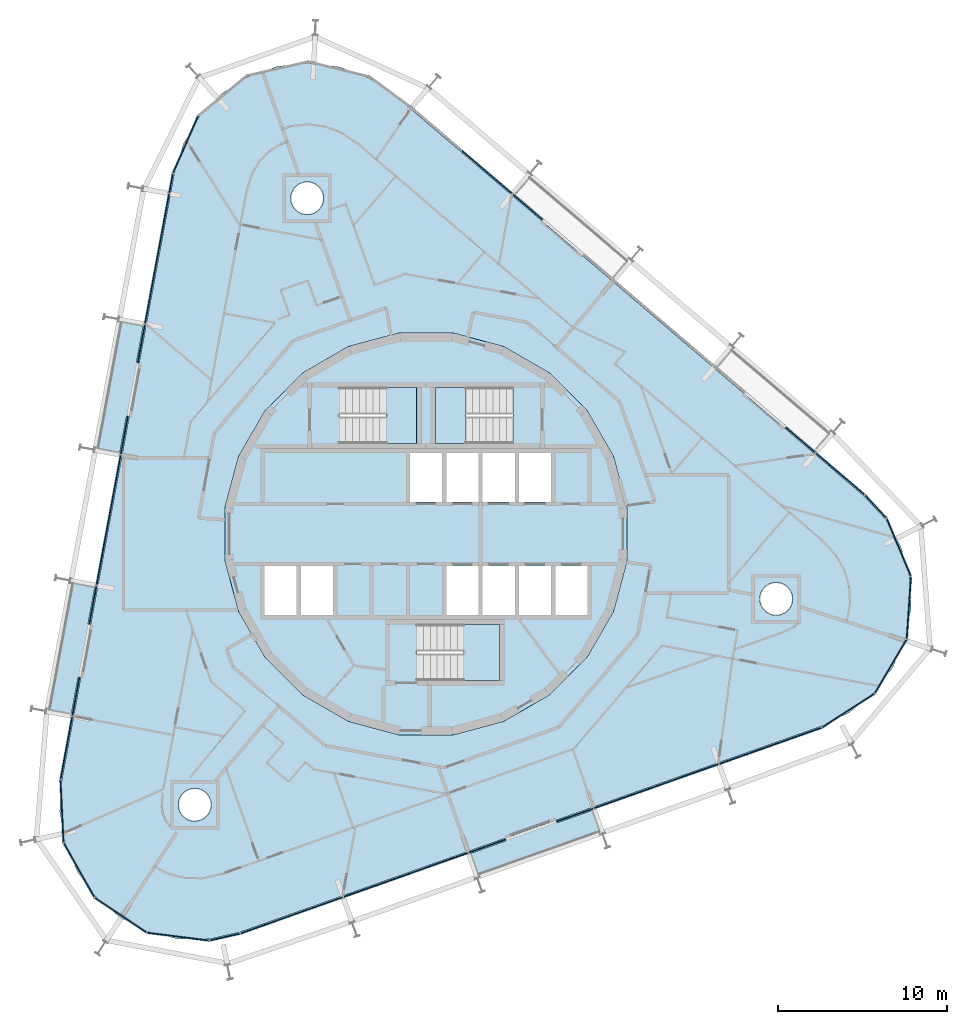
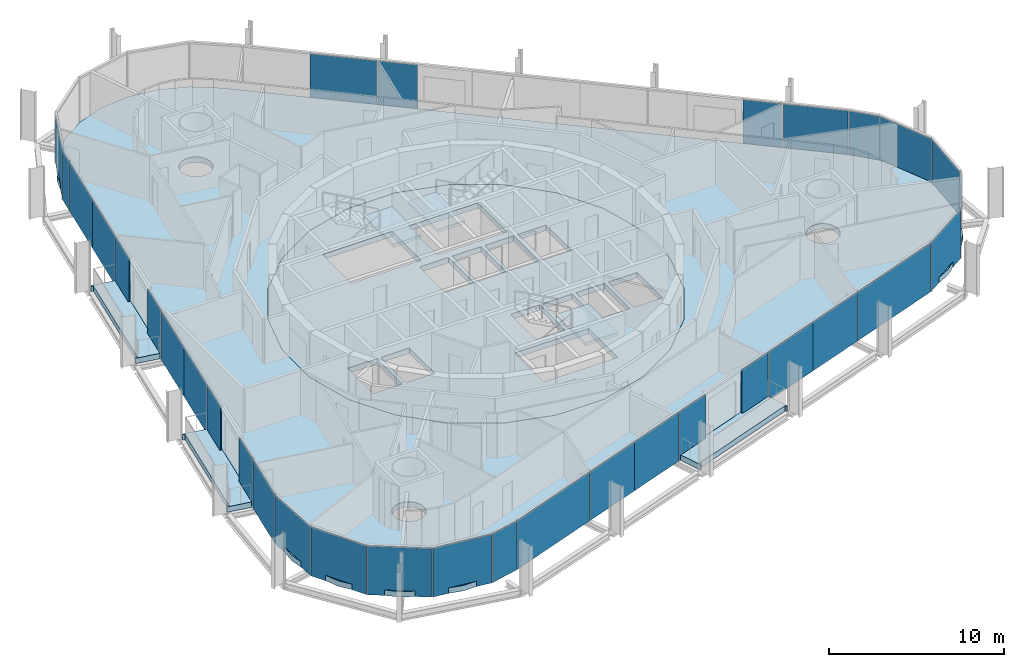
# One storey, part 9 of 17: 33 plates, 8 slabs, 9 elements without a shape of their own.
"""IFC4 building model written with IfcOpenShell, lengths in metres."""

from ifc_helpers import new_model, si_unit, direction, frame, origin, origin_2d, place, context, subcontext, project, spatial, polyline, rectangle, outline, extrude, material, layer, layer_set, type_object, element, aggregate, save


model = new_model("IFC4")

# Units and contexts
model_context = context("Model", 3, precision=1e-05, world=origin(), true_north=direction((0.0, 1.0)))
body_context = subcontext(model_context, "Body", "Model", "MODEL_VIEW")
ifc_project = project(units=[si_unit("LENGTHUNIT", "METRE"), si_unit("AREAUNIT", "SQUARE_METRE"), si_unit("VOLUMEUNIT", "CUBIC_METRE"), si_unit("PLANEANGLEUNIT", "RADIAN"), si_unit("MASSUNIT", "GRAM", prefix="KILO")], contexts=[model_context])

# Site, building, storey
site_placement = place(None, origin())
site = spatial("IfcSite", under=ifc_project, at=site_placement, CompositionType="ELEMENT")
building_placement = place(site_placement, origin())
building = spatial("IfcBuilding", under=site, at=building_placement, Name="Spindle Arch Residences", CompositionType="ELEMENT")
storey_placement = place(building_placement, frame((0.0, 0.0, 155.199951171875)))
storey = spatial("IfcBuildingStorey", under=building, at=storey_placement, Name="L38", CompositionType="ELEMENT", Elevation=155.199951171875)

# Slabs
ifc_material_1 = material(Name="Concrete C40/50", Category="concrete")
ifc_layer_1 = layer(ifc_material_1, 0.3798828125)
ifc_layer_set_1 = layer_set([ifc_layer_1], Name="Balcony slab 380")
slab_type_1 = type_object("IfcSlabType", Name="Balcony slab 380", PredefinedType="FLOOR", material=ifc_layer_set_1)
slab_1_placement = place(storey_placement, frame((0.0, 0.0, -0.3798828125)))
element("IfcSlab", 1, at=slab_1_placement, inside=storey, type_object=slab_type_1, Name="Balcony L38 bay 14", PredefinedType="FLOOR", context=body_context, shape_type="SweptSolid", body=[
    extrude(outline(polyline([(-18.1875, 12.620849609375), (-18.201171875, 12.547119140625), (-18.0537109375, 12.519775390625), (-19.431396484375, 5.086181640625), (-19.578857421875, 5.113525390625), (-19.592529296875, 5.039794921875), (-18.12744140625, 4.768310546875), (-17.716552734375, 6.985595703125), (-17.559326171875, 6.95654296875), (-16.97607421875, 10.102783203125), (-17.133544921875, 10.132080078125), (-16.722412109375, 12.349365234375), (-18.1875, 12.620849609375)])), origin(), (0.0, 0.0, 1.0), 0.3798828125),
])
slab_2_placement = place(storey_placement, frame((0.0, 0.0, -0.3798828125)))
element("IfcSlab", 2, at=slab_2_placement, inside=storey, type_object=slab_type_1, Name="Balcony L38 bay 16", PredefinedType="FLOOR", context=body_context, shape_type="SweptSolid", body=[
    extrude(outline(polyline([(-21.05224609375, -2.836181640625), (-21.06591796875, -2.909912109375), (-20.91845703125, -2.937255859375), (-22.296142578125, -10.37060546875), (-22.443603515625, -10.34326171875), (-22.457275390625, -10.4169921875), (-20.9921875, -10.6884765625), (-20.581298828125, -8.47119140625), (-20.424072265625, -8.50048828125), (-19.8408203125, -5.35400390625), (-19.998291015625, -5.324951171875), (-19.587158203125, -3.107666015625), (-21.05224609375, -2.836181640625)])), origin(), (0.0, 0.0, 1.0), 0.3798828125),
])
slab_3_placement = place(storey_placement, frame((0.0, 0.0, -0.3798828125)))
element("IfcSlab", 3, at=slab_3_placement, inside=storey, type_object=slab_type_1, Name="Balcony L38 bay 22", PredefinedType="FLOOR", context=body_context, shape_type="SweptSolid", body=[
    extrude(outline(polyline([(3.103271484375, -20.31201171875), (3.174072265625, -20.287109375), (3.1240234375, -20.145751953125), (10.250244140625, -17.6220703125), (10.300537109375, -17.763427734375), (10.37109375, -17.738525390625), (9.873779296875, -16.333984375), (7.748046875, -17.086669921875), (7.694580078125, -16.935791015625), (4.67822265625, -18.00390625), (4.731689453125, -18.15478515625), (2.60595703125, -18.907470703125), (3.103271484375, -20.31201171875)])), origin(), (0.0, 0.0, 1.0), 0.3798828125),
])
ifc_material_2 = material(Name="Concrete C50/60", Category="concrete")
ifc_layer_2 = layer(ifc_material_2, 0.3798828125)
ifc_layer_set_2 = layer_set([ifc_layer_2], Name="Core floor slab 380")
slab_type_2 = type_object("IfcSlabType", Name="Core floor slab 380", PredefinedType="FLOOR", material=ifc_layer_set_2)
slab_4_placement = place(storey_placement, frame((0.0, 0.0, -0.3798828125)))
element("IfcSlab", 4, at=slab_4_placement, inside=storey, type_object=slab_type_2, Name="Core floor L38", PredefinedType="FLOOR", context=body_context, shape_type="SweptSolid", body=[
    extrude(outline(polyline([(1.56640625, -11.897216796875), (4.59228515625, -11.086669921875), (7.30517578125, -9.520263671875), (9.520263671875, -7.30517578125), (11.086669921875, -4.59228515625), (11.897216796875, -1.56640625), (11.897216796875, 1.56640625), (11.086669921875, 4.59228515625), (9.520263671875, 7.30517578125), (7.30517578125, 9.520263671875), (4.59228515625, 11.086669921875), (1.56640625, 11.897216796875), (-1.56640625, 11.897216796875), (-4.59228515625, 11.086669921875), (-7.30517578125, 9.520263671875), (-9.520263671875, 7.30517578125), (-11.086669921875, 4.59228515625), (-11.897216796875, 1.56640625), (-11.897216796875, -1.56640625), (-11.086669921875, -4.59228515625), (-9.520263671875, -7.30517578125), (-7.30517578125, -9.520263671875), (-4.59228515625, -11.086669921875), (-1.56640625, -11.897216796875), (1.56640625, -11.897216796875)]), holes=[polyline([(-0.949951171875, 1.89990234375), (0.949951171875, 1.89990234375), (0.949951171875, 4.800048828125), (-0.949951171875, 4.800048828125), (-0.949951171875, 1.89990234375)]), polyline([(1.199951171875, 1.89990234375), (3.10009765625, 1.89990234375), (3.10009765625, 4.800048828125), (1.199951171875, 4.800048828125), (1.199951171875, 1.89990234375)]), polyline([(3.35009765625, 1.89990234375), (5.25, 1.89990234375), (5.25, 4.800048828125), (3.35009765625, 4.800048828125), (3.35009765625, 1.89990234375)]), polyline([(5.5, 1.89990234375), (7.39990234375, 1.89990234375), (7.39990234375, 4.800048828125), (5.5, 4.800048828125), (5.5, 1.89990234375)]), polyline([(-9.550048828125, -4.800048828125), (-7.64990234375, -4.800048828125), (-7.64990234375, -1.89990234375), (-9.550048828125, -1.89990234375), (-9.550048828125, -4.800048828125)]), polyline([(-7.39990234375, -4.800048828125), (-5.5, -4.800048828125), (-5.5, -1.89990234375), (-7.39990234375, -1.89990234375), (-7.39990234375, -4.800048828125)]), polyline([(1.199951171875, -4.800048828125), (3.10009765625, -4.800048828125), (3.10009765625, -1.89990234375), (1.199951171875, -1.89990234375), (1.199951171875, -4.800048828125)]), polyline([(3.35009765625, -4.800048828125), (5.25, -4.800048828125), (5.25, -1.89990234375), (3.35009765625, -1.89990234375), (3.35009765625, -4.800048828125)]), polyline([(5.5, -4.800048828125), (7.39990234375, -4.800048828125), (7.39990234375, -1.89990234375), (5.5, -1.89990234375), (5.5, -4.800048828125)]), polyline([(7.64990234375, -4.800048828125), (9.550048828125, -4.800048828125), (9.550048828125, -1.89990234375), (7.64990234375, -1.89990234375), (7.64990234375, -4.800048828125)]), polyline([(5.1298828125, 8.669921875), (0.550048828125, 8.669921875), (0.550048828125, 5.35009765625), (5.1298828125, 5.35009765625), (5.1298828125, 8.669921875)]), polyline([(-5.1298828125, 5.35009765625), (-0.550048828125, 5.35009765625), (-0.550048828125, 8.669921875), (-5.1298828125, 8.669921875), (-5.1298828125, 5.35009765625)]), polyline([(-0.530029296875, -8.669921875), (4.35009765625, -8.669921875), (4.35009765625, -5.35009765625), (-0.530029296875, -5.35009765625), (-0.530029296875, -8.669921875)])]), origin(), (0.0, 0.0, 1.0), 0.3798828125),
])

# Stair, slab
ifc_material_3 = material(Name="Concrete C50/60", Category="concrete")
stair_type = type_object("IfcStairType", Name="Exit stair 16 risers", PredefinedType="HALF_TURN_STAIR", material=ifc_material_3)
stair_1_placement = place(storey_placement, origin())
stair_1 = element("IfcStair", 5, at=stair_1_placement, inside=storey, type_object=stair_type, Name="L38 Exit stair ST1", PredefinedType="HALF_TURN_STAIR")
ifc_material_4 = material(Name="Concrete C50/60", Category="concrete")
ifc_layer_3 = layer(ifc_material_4, 0.219970703125)
ifc_layer_set_3 = layer_set([ifc_layer_3], Name="Exit stair landing 220")
slab_type_3 = type_object("IfcSlabType", Name="Exit stair landing 220", PredefinedType="LANDING", material=ifc_layer_set_3)
slab_5_placement = place(storey_placement, frame((0.0, 0.0, 1.530029296875)))
slab_5 = element("IfcSlab", 6, at=slab_5_placement, type_object=slab_type_3, Name="ST1 landing 1", PredefinedType="LANDING", context=body_context, shape_type="SweptSolid", body=[
    extrude(outline(polyline([(2.3701171875, 8.669921875), (0.550048828125, 8.669921875), (0.550048828125, 5.35009765625), (2.3701171875, 5.35009765625), (2.3701171875, 8.669921875)])), origin(), (0.0, 0.0, 1.0), 0.219970703125),
])
aggregate(stair_1, [slab_5])

stair_2_placement = place(storey_placement, origin())
stair_2 = element("IfcStair", 7, at=stair_2_placement, inside=storey, type_object=stair_type, Name="L38 Exit stair ST2", PredefinedType="HALF_TURN_STAIR")
slab_6_placement = place(storey_placement, frame((0.0, 0.0, 1.530029296875)))
slab_6 = element("IfcSlab", 8, at=slab_6_placement, type_object=slab_type_3, Name="ST2 landing 1", PredefinedType="LANDING", context=body_context, shape_type="SweptSolid", body=[
    extrude(outline(polyline([(-2.3701171875, 5.35009765625), (-0.550048828125, 5.35009765625), (-0.550048828125, 8.669921875), (-2.3701171875, 8.669921875), (-2.3701171875, 5.35009765625)])), origin(), (0.0, 0.0, 1.0), 0.219970703125),
])
aggregate(stair_2, [slab_6])

stair_3_placement = place(storey_placement, origin())
stair_3 = element("IfcStair", 9, at=stair_3_placement, inside=storey, type_object=stair_type, Name="L38 Exit stair ST3", PredefinedType="HALF_TURN_STAIR")
slab_7_placement = place(storey_placement, frame((0.0, 0.0, 1.530029296875)))
slab_7 = element("IfcSlab", 10, at=slab_7_placement, type_object=slab_type_3, Name="ST3 landing 1", PredefinedType="LANDING", context=body_context, shape_type="SweptSolid", body=[
    extrude(outline(polyline([(2.22998046875, -8.669921875), (4.35009765625, -8.669921875), (4.35009765625, -5.35009765625), (2.22998046875, -5.35009765625), (2.22998046875, -8.669921875)])), origin(), (0.0, 0.0, 1.0), 0.219970703125),
])
aggregate(stair_3, [slab_7])

# Slab
ifc_material_5 = material(Name="Concrete C40/50", Category="concrete")
ifc_layer_4 = layer(ifc_material_5, 0.3798828125)
ifc_layer_set_4 = layer_set([ifc_layer_4], Name="Floor slab 380")
slab_type_4 = type_object("IfcSlabType", Name="Floor slab 380", PredefinedType="FLOOR", material=ifc_layer_set_4)
slab_8_placement = place(storey_placement, frame((0.0, 0.0, -0.3798828125)))
element("IfcSlab", 11, at=slab_8_placement, inside=storey, type_object=slab_type_4, Name="Floor slab L38", PredefinedType="FLOOR", context=body_context, shape_type="SweptSolid", body=[
    extrude(outline(polyline([(-12.82177734375, -23.972412109375), (-14.67919921875, -23.9560546875), (-16.48291015625, -23.511962890625), (-18.135498046875, -22.663818359375), (-19.5478515625, -21.45751953125), (-20.64404296875, -19.9580078125), (-21.36474609375, -18.24609375), (-21.67138671875, -16.4140625), (-21.547119140625, -14.560791015625), (-14.89794921875, 21.3154296875), (-14.349609375, 23.090087890625), (-13.406982421875, 24.690673828125), (-12.12060546875, 26.030517578125), (-10.559814453125, 27.03759765625), (-8.808837890625, 27.65771484375), (-6.962158203125, 27.857421875), (-5.119140625, 27.62548828125), (-3.37939453125, 26.97509765625), (-1.83642578125, 25.94091796875), (25.90869140625, 2.244384765625), (27.171630859375, 0.882080078125), (28.086181640625, -0.734619140625), (28.603515625, -2.5185546875), (28.6953125, -4.373779296875), (28.356689453125, -6.2001953125), (27.606201171875, -7.8994140625), (26.48388671875, -9.37939453125), (25.05078125, -10.56103515625), (23.383544921875, -11.380126953125), (6.186279296875, -17.469970703125), (-11.0107421875, -23.559814453125), (-12.82177734375, -23.972412109375)]), holes=[polyline([(7.30517578125, -9.520263671875), (9.520263671875, -7.30517578125), (11.086669921875, -4.59228515625), (11.897216796875, -1.56640625), (11.897216796875, 1.56640625), (11.086669921875, 4.59228515625), (9.520263671875, 7.30517578125), (7.30517578125, 9.520263671875), (4.59228515625, 11.086669921875), (1.56640625, 11.897216796875), (-1.56640625, 11.897216796875), (-4.59228515625, 11.086669921875), (-7.30517578125, 9.520263671875), (-9.520263671875, 7.30517578125), (-11.086669921875, 4.59228515625), (-11.897216796875, 1.56640625), (-11.897216796875, -1.56640625), (-11.086669921875, -4.59228515625), (-9.520263671875, -7.30517578125), (-7.30517578125, -9.520263671875), (-4.59228515625, -11.086669921875), (-1.56640625, -11.897216796875), (1.56640625, -11.897216796875), (4.59228515625, -11.086669921875), (7.30517578125, -9.520263671875)]), polyline([(-12.99169921875, -16.7080078125), (-12.87060546875, -16.560302734375), (-12.780517578125, -16.3916015625), (-12.724853515625, -16.208740234375), (-12.706298828125, -16.0185546875), (-12.724853515625, -15.828369140625), (-12.780517578125, -15.6455078125), (-12.87060546875, -15.476806640625), (-12.99169921875, -15.3291015625), (-13.139404296875, -15.2080078125), (-13.30810546875, -15.117919921875), (-13.490966796875, -15.062255859375), (-13.68115234375, -15.043701171875), (-13.871337890625, -15.062255859375), (-14.05419921875, -15.117919921875), (-14.222900390625, -15.2080078125), (-14.37060546875, -15.3291015625), (-14.491943359375, -15.476806640625), (-14.58203125, -15.6455078125), (-14.637451171875, -15.828369140625), (-14.65625, -16.0185546875), (-14.637451171875, -16.208740234375), (-14.58203125, -16.3916015625), (-14.491943359375, -16.560302734375), (-14.37060546875, -16.7080078125), (-14.222900390625, -16.829345703125), (-14.05419921875, -16.91943359375), (-13.871337890625, -16.974853515625), (-13.68115234375, -16.99365234375), (-13.490966796875, -16.974853515625), (-13.30810546875, -16.91943359375), (-13.139404296875, -16.829345703125), (-12.99169921875, -16.7080078125)]), polyline([(-6.22119140625, 19.31591796875), (-6.131103515625, 19.484619140625), (-6.07568359375, 19.66748046875), (-6.056884765625, 19.857666015625), (-6.07568359375, 20.0478515625), (-6.131103515625, 20.230712890625), (-6.22119140625, 20.3994140625), (-6.342529296875, 20.547119140625), (-6.490234375, 20.668212890625), (-6.65869140625, 20.75830078125), (-6.841796875, 20.81396484375), (-7.031982421875, 20.83251953125), (-7.22216796875, 20.81396484375), (-7.405029296875, 20.75830078125), (-7.573486328125, 20.668212890625), (-7.72119140625, 20.547119140625), (-7.842529296875, 20.3994140625), (-7.9326171875, 20.230712890625), (-7.98828125, 20.0478515625), (-8.0068359375, 19.857666015625), (-7.98828125, 19.66748046875), (-7.9326171875, 19.484619140625), (-7.842529296875, 19.31591796875), (-7.72119140625, 19.168212890625), (-7.573486328125, 19.046875), (-7.405029296875, 18.956787109375), (-7.22216796875, 18.9013671875), (-7.031982421875, 18.882568359375), (-6.841796875, 18.9013671875), (-6.65869140625, 18.956787109375), (-6.490234375, 19.046875), (-6.342529296875, 19.168212890625), (-6.22119140625, 19.31591796875)]), polyline([(21.523681640625, -4.380615234375), (21.614013671875, -4.212158203125), (21.66943359375, -4.029296875), (21.68798828125, -3.839111328125), (21.66943359375, -3.648681640625), (21.614013671875, -3.4658203125), (21.523681640625, -3.29736328125), (21.402587890625, -3.149658203125), (21.2548828125, -3.0283203125), (21.086181640625, -2.938232421875), (20.9033203125, -2.8828125), (20.713134765625, -2.864013671875), (20.52294921875, -2.8828125), (20.340087890625, -2.938232421875), (20.17138671875, -3.0283203125), (20.023681640625, -3.149658203125), (19.90234375, -3.29736328125), (19.812255859375, -3.4658203125), (19.7568359375, -3.648681640625), (19.738037109375, -3.839111328125), (19.7568359375, -4.029296875), (19.812255859375, -4.212158203125), (19.90234375, -4.380615234375), (20.023681640625, -4.5283203125), (20.17138671875, -4.649658203125), (20.340087890625, -4.73974609375), (20.52294921875, -4.79541015625), (20.713134765625, -4.81396484375), (20.9033203125, -4.79541015625), (21.086181640625, -4.73974609375), (21.2548828125, -4.649658203125), (21.402587890625, -4.5283203125), (21.523681640625, -4.380615234375)])]), origin(), (0.0, 0.0, 1.0), 0.3798828125),
])

# Curtain wall, plates
ifc_material_6 = material(Name="Aluminium bronze unitised frame with tinted glass", Category="aluminium")
ifc_layer_5 = layer(ifc_material_6, 0.159912109375)
ifc_layer_set_5 = layer_set([ifc_layer_5], Name="CW-D corner wall on the fillet arcs")
curtain_wall_type_1 = type_object("IfcCurtainWallType", Name="CW-D corner wall on the fillet arcs", PredefinedType="NOTDEFINED", material=ifc_layer_set_5)
curtain_wall_1_placement = place(storey_placement, origin())
curtain_wall_1 = element("IfcCurtainWall", 12, at=curtain_wall_1_placement, inside=storey, type_object=curtain_wall_type_1, Name="CW-D L38 run 1", PredefinedType="NOTDEFINED")
ifc_material_7 = material(Name="Tinted double glazing over non-combustible spandrel zone with 0.55 mm stainless steel cavity fire stop (K0)", Category="steel")
ifc_layer_6 = layer(ifc_material_7, 0.070068359375)
ifc_layer_set_6 = layer_set([ifc_layer_6], Name="Unitised glass panel with spandrel zone and stainless cavity fire stop")
plate_type = type_object("IfcPlateType", Name="Unitised glass panel with spandrel zone and stainless cavity fire stop", PredefinedType="CURTAIN_PANEL", material=ifc_layer_set_6)
plate_1_placement = place(storey_placement, frame((20.36865234375, -12.53271484375, -0.3798828125), z_axis=(0.0, 0.0, 1.0), x_axis=(0.942641491092, 0.333806859234, 0.0)))
plate_1 = element("IfcPlate", 13, at=plate_1_placement, type_object=plate_type, Name="CW-D unit 00", PredefinedType="CURTAIN_PANEL", context=body_context, shape_type="SweptSolid", body=[
    extrude(rectangle(XDim=6.3935546875, YDim=0.070068359375, at=origin_2d()), origin(), (0.0, 0.0, 1.0), 3.3798828125),
])
plate_2_placement = place(storey_placement, frame((24.97607421875, -10.445068359375, -0.3798828125), z_axis=(0.0, 0.0, 1.0), x_axis=(0.840251309898, 0.542197137778, 0.0)))
plate_2 = element("IfcPlate", 14, at=plate_2_placement, type_object=plate_type, Name="CW-D unit 01", PredefinedType="CURTAIN_PANEL", context=body_context, shape_type="SweptSolid", body=[
    extrude(rectangle(XDim=3.666748046875, YDim=0.070068359375, at=origin_2d()), origin(), (0.0, 0.0, 1.0), 3.3798828125),
])
plate_3_placement = place(storey_placement, frame((27.487548828125, -7.829345703125, -0.3798828125), z_axis=(0.0, 0.0, 1.0), x_axis=(0.507538365713, 0.86162915882, 0.0)))
plate_3 = element("IfcPlate", 15, at=plate_3_placement, type_object=plate_type, Name="CW-D unit 02", PredefinedType="CURTAIN_PANEL", context=body_context, shape_type="SweptSolid", body=[
    extrude(rectangle(XDim=3.666748046875, YDim=0.070068359375, at=origin_2d()), origin(), (0.0, 0.0, 1.0), 3.3798828125),
])
plate_4_placement = place(storey_placement, frame((28.557861328125, -4.364501953125, -0.3798828125), z_axis=(0.0, 0.0, 1.0), x_axis=(0.066854392204, 0.997762742461, 0.0)))
plate_4 = element("IfcPlate", 16, at=plate_4_placement, type_object=plate_type, Name="CW-D unit 03", PredefinedType="CURTAIN_PANEL", context=body_context, shape_type="SweptSolid", body=[
    extrude(rectangle(XDim=3.666748046875, YDim=0.070068359375, at=origin_2d()), origin(), (0.0, 0.0, 1.0), 3.3798828125),
])
plate_5_placement = place(storey_placement, frame((27.959228515625, -0.7880859375, -0.3798828125), z_axis=(0.0, 0.0, 1.0), x_axis=(-0.388051836633, 0.921637549195, 0.0)))
plate_5 = element("IfcPlate", 17, at=plate_5_placement, type_object=plate_type, Name="CW-D unit 04", PredefinedType="CURTAIN_PANEL", context=body_context, shape_type="SweptSolid", body=[
    extrude(rectangle(XDim=3.666748046875, YDim=0.070068359375, at=origin_2d()), origin(), (0.0, 0.0, 1.0), 3.3798828125),
])
plate_6_placement = place(storey_placement, frame((26.598388671875, 1.6171875, -0.3798828125), z_axis=(0.0, 0.0, 1.0), x_axis=(-0.679868057543, 0.733334455983, 0.0)))
plate_6 = element("IfcPlate", 18, at=plate_6_placement, type_object=plate_type, Name="CW-D unit 05", PredefinedType="CURTAIN_PANEL", context=body_context, shape_type="SweptSolid", body=[
    extrude(rectangle(XDim=1.816162109375, YDim=0.070068359375, at=origin_2d()), origin(), (0.0, 0.0, 1.0), 3.3798828125),
])
plate_7_placement = place(storey_placement, frame((24.503173828125, 3.550048828125, -0.3798828125), z_axis=(0.0, 0.0, 1.0), x_axis=(-0.7604059656, 0.64944804833, 0.0)))
plate_7 = element("IfcPlate", 19, at=plate_7_placement, type_object=plate_type, Name="CW-D unit 06", PredefinedType="CURTAIN_PANEL", context=body_context, shape_type="SweptSolid", body=[
    extrude(rectangle(XDim=3.7734375, YDim=0.070068359375, at=origin_2d()), origin(), (0.0, 0.0, 1.0), 3.3798828125),
])
aggregate(curtain_wall_1, [plate_1, plate_2, plate_3, plate_4, plate_5, plate_6, plate_7])

ifc_material_8 = material(Name="Aluminium bronze unitised frame with tinted glass", Category="aluminium")
ifc_layer_7 = layer(ifc_material_8, 0.159912109375)
ifc_layer_set_7 = layer_set([ifc_layer_7], Name="CW-C typical residential unitised wall")
curtain_wall_type_2 = type_object("IfcCurtainWallType", Name="CW-C typical residential unitised wall", PredefinedType="NOTDEFINED", material=ifc_layer_set_7)
curtain_wall_2_placement = place(storey_placement, origin())
curtain_wall_2 = element("IfcCurtainWall", 20, at=curtain_wall_2_placement, inside=storey, type_object=curtain_wall_type_2, Name="CW-C L38 run 2", PredefinedType="NOTDEFINED")
plate_8_placement = place(storey_placement, frame((22.1484375, 5.56103515625, -0.3798828125), z_axis=(0.0, 0.0, 1.0), x_axis=(-0.7604059656, 0.64944804833, 0.0)))
plate_8 = element("IfcPlate", 21, at=plate_8_placement, type_object=plate_type, Name="CW-C unit 05L", PredefinedType="CURTAIN_PANEL", context=body_context, shape_type="SweptSolid", body=[
    extrude(rectangle(XDim=2.300048828125, YDim=0.070068359375, at=origin_2d()), origin(), (0.0, 0.0, 1.0), 3.3798828125),
])
plate_9_placement = place(storey_placement, frame((6.012451171875, 19.342529296875, -0.3798828125), z_axis=(0.0, 0.0, 1.0), x_axis=(-0.7604059656, 0.64944804833, 0.0)))
plate_9 = element("IfcPlate", 22, at=plate_9_placement, type_object=plate_type, Name="CW-C unit 07R", PredefinedType="CURTAIN_PANEL", context=body_context, shape_type="SweptSolid", body=[
    extrude(rectangle(XDim=2.300048828125, YDim=0.070068359375, at=origin_2d()), origin(), (0.0, 0.0, 1.0), 3.3798828125),
])
plate_10_placement = place(storey_placement, frame((3.609619140625, 21.394775390625, -0.3798828125), z_axis=(0.0, 0.0, 1.0), x_axis=(-0.7604059656, 0.64944804833, 0.0)))
plate_10 = element("IfcPlate", 23, at=plate_10_placement, type_object=plate_type, Name="CW-C unit 08A", PredefinedType="CURTAIN_PANEL", context=body_context, shape_type="SweptSolid", body=[
    extrude(rectangle(XDim=3.900146484375, YDim=0.070068359375, at=origin_2d()), origin(), (0.0, 0.0, 1.0), 3.3798828125),
])
aggregate(curtain_wall_2, [plate_8, plate_9, plate_10])

curtain_wall_3_placement = place(storey_placement, origin())
curtain_wall_3 = element("IfcCurtainWall", 24, at=curtain_wall_3_placement, inside=storey, type_object=curtain_wall_type_1, Name="CW-D L38 run 3", PredefinedType="NOTDEFINED")
plate_11_placement = place(storey_placement, frame((-14.2236328125, 23.034423828125, -0.3798828125), z_axis=(0.0, 0.0, 1.0), x_axis=(-0.404077526853, -0.914724741271, 0.0)))
plate_11 = element("IfcPlate", 25, at=plate_11_placement, type_object=plate_type, Name="CW-D unit 04", PredefinedType="CURTAIN_PANEL", context=body_context, shape_type="SweptSolid", body=[
    extrude(rectangle(XDim=3.666748046875, YDim=0.070068359375, at=origin_2d()), origin(), (0.0, 0.0, 1.0), 3.3798828125),
])
plate_12_placement = place(storey_placement, frame((-15.087158203125, 20.7333984375, -0.3798828125), z_axis=(0.0, 0.0, 1.0), x_axis=(-0.182235525492, -0.983254907564, 0.0)))
plate_12 = element("IfcPlate", 26, at=plate_12_placement, type_object=plate_type, Name="CW-D unit 05", PredefinedType="CURTAIN_PANEL", context=body_context, shape_type="SweptSolid", body=[
    extrude(rectangle(XDim=1.1533203125, YDim=0.070068359375, at=origin_2d()), origin(), (0.0, 0.0, 1.0), 3.3798828125),
])
aggregate(curtain_wall_3, [plate_11, plate_12])

curtain_wall_4_placement = place(storey_placement, origin())
curtain_wall_4 = element("IfcCurtainWall", 27, at=curtain_wall_4_placement, inside=storey, type_object=curtain_wall_type_2, Name="CW-C L38 run 4", PredefinedType="NOTDEFINED")
plate_13_placement = place(storey_placement, frame((-15.55859375, 18.190185546875, -0.3798828125), z_axis=(0.0, 0.0, 1.0), x_axis=(-0.182235525492, -0.983254907564, 0.0)))
plate_13 = element("IfcPlate", 28, at=plate_13_placement, type_object=plate_type, Name="CW-C unit 12A", PredefinedType="CURTAIN_PANEL", context=body_context, shape_type="SweptSolid", body=[
    extrude(rectangle(XDim=3.900146484375, YDim=0.070068359375, at=origin_2d()), origin(), (0.0, 0.0, 1.0), 3.3798828125),
])
plate_14_placement = place(storey_placement, frame((-16.269287109375, 14.355224609375, -0.3798828125), z_axis=(0.0, 0.0, 1.0), x_axis=(-0.182235525492, -0.983254907564, 0.0)))
plate_14 = element("IfcPlate", 29, at=plate_14_placement, type_object=plate_type, Name="CW-C unit 12B", PredefinedType="CURTAIN_PANEL", context=body_context, shape_type="SweptSolid", body=[
    extrude(rectangle(XDim=3.900146484375, YDim=0.070068359375, at=origin_2d()), origin(), (0.0, 0.0, 1.0), 3.3798828125),
])
plate_15_placement = place(storey_placement, frame((-16.84521484375, 11.248291015625, -0.3798828125), z_axis=(0.0, 0.0, 1.0), x_axis=(-0.182235525492, -0.983254907564, 0.0)))
plate_15 = element("IfcPlate", 30, at=plate_15_placement, type_object=plate_type, Name="CW-C unit 13L", PredefinedType="CURTAIN_PANEL", context=body_context, shape_type="SweptSolid", body=[
    extrude(rectangle(XDim=2.300048828125, YDim=0.070068359375, at=origin_2d()), origin(), (0.0, 0.0, 1.0), 3.3798828125),
])
plate_16_placement = place(storey_placement, frame((-17.847412109375, 5.84033203125, -0.3798828125), z_axis=(0.0, 0.0, 1.0), x_axis=(-0.182235525492, -0.983254907564, 0.0)))
plate_16 = element("IfcPlate", 31, at=plate_16_placement, type_object=plate_type, Name="CW-C unit 13R", PredefinedType="CURTAIN_PANEL", context=body_context, shape_type="SweptSolid", body=[
    extrude(rectangle(XDim=2.300048828125, YDim=0.070068359375, at=origin_2d()), origin(), (0.0, 0.0, 1.0), 3.3798828125),
])
plate_17_placement = place(storey_placement, frame((-18.42333984375, 2.733154296875, -0.3798828125), z_axis=(0.0, 0.0, 1.0), x_axis=(-0.182235525492, -0.983254907564, 0.0)))
plate_17 = element("IfcPlate", 32, at=plate_17_placement, type_object=plate_type, Name="CW-C unit 14A", PredefinedType="CURTAIN_PANEL", context=body_context, shape_type="SweptSolid", body=[
    extrude(rectangle(XDim=3.900146484375, YDim=0.070068359375, at=origin_2d()), origin(), (0.0, 0.0, 1.0), 3.3798828125),
])
plate_18_placement = place(storey_placement, frame((-19.134033203125, -1.1015625, -0.3798828125), z_axis=(0.0, 0.0, 1.0), x_axis=(-0.182235525492, -0.983254907564, 0.0)))
plate_18 = element("IfcPlate", 33, at=plate_18_placement, type_object=plate_type, Name="CW-C unit 14B", PredefinedType="CURTAIN_PANEL", context=body_context, shape_type="SweptSolid", body=[
    extrude(rectangle(XDim=3.900146484375, YDim=0.070068359375, at=origin_2d()), origin(), (0.0, 0.0, 1.0), 3.3798828125),
])
plate_19_placement = place(storey_placement, frame((-19.7099609375, -4.208740234375, -0.3798828125), z_axis=(0.0, 0.0, 1.0), x_axis=(-0.182235525492, -0.983254907564, 0.0)))
plate_19 = element("IfcPlate", 34, at=plate_19_placement, type_object=plate_type, Name="CW-C unit 15L", PredefinedType="CURTAIN_PANEL", context=body_context, shape_type="SweptSolid", body=[
    extrude(rectangle(XDim=2.300048828125, YDim=0.070068359375, at=origin_2d()), origin(), (0.0, 0.0, 1.0), 3.3798828125),
])
plate_20_placement = place(storey_placement, frame((-20.712158203125, -9.61669921875, -0.3798828125), z_axis=(0.0, 0.0, 1.0), x_axis=(-0.182235525492, -0.983254907564, 0.0)))
plate_20 = element("IfcPlate", 35, at=plate_20_placement, type_object=plate_type, Name="CW-C unit 15R", PredefinedType="CURTAIN_PANEL", context=body_context, shape_type="SweptSolid", body=[
    extrude(rectangle(XDim=2.300048828125, YDim=0.070068359375, at=origin_2d()), origin(), (0.0, 0.0, 1.0), 3.3798828125),
])
aggregate(curtain_wall_4, [plate_13, plate_14, plate_15, plate_16, plate_17, plate_18, plate_19, plate_20])

curtain_wall_5_placement = place(storey_placement, origin())
curtain_wall_5 = element("IfcCurtainWall", 36, at=curtain_wall_5_placement, inside=storey, type_object=curtain_wall_type_1, Name="CW-D L38 run 5", PredefinedType="NOTDEFINED")
plate_21_placement = place(storey_placement, frame((-21.276611328125, -12.66162109375, -0.3798828125), z_axis=(0.0, 0.0, 1.0), x_axis=(-0.182235525492, -0.983254907564, 0.0)))
plate_21 = element("IfcPlate", 37, at=plate_21_placement, type_object=plate_type, Name="CW-D unit 00", PredefinedType="CURTAIN_PANEL", context=body_context, shape_type="SweptSolid", body=[
    extrude(rectangle(XDim=3.7734375, YDim=0.070068359375, at=origin_2d()), origin(), (0.0, 0.0, 1.0), 3.3798828125),
])
plate_22_placement = place(storey_placement, frame((-21.53369140625, -16.4072265625, -0.3798828125), z_axis=(0.0, 0.0, 1.0), x_axis=(0.049430843939, -0.99877754864, 0.0)))
plate_22 = element("IfcPlate", 38, at=plate_22_placement, type_object=plate_type, Name="CW-D unit 01", PredefinedType="CURTAIN_PANEL", context=body_context, shape_type="SweptSolid", body=[
    extrude(rectangle(XDim=3.666748046875, YDim=0.070068359375, at=origin_2d()), origin(), (0.0, 0.0, 1.0), 3.3798828125),
])
plate_23_placement = place(storey_placement, frame((-20.524169921875, -19.89013671875, -0.3798828125), z_axis=(0.0, 0.0, 1.0), x_axis=(0.492423562185, -0.870355694762, 0.0)))
plate_23 = element("IfcPlate", 39, at=plate_23_placement, type_object=plate_type, Name="CW-D unit 02", PredefinedType="CURTAIN_PANEL", context=body_context, shape_type="SweptSolid", body=[
    extrude(rectangle(XDim=3.666748046875, YDim=0.070068359375, at=origin_2d()), origin(), (0.0, 0.0, 1.0), 3.3798828125),
])
plate_24_placement = place(storey_placement, frame((-18.05859375, -22.549560546875, -0.3798828125), z_axis=(0.0, 0.0, 1.0), x_axis=(0.830660688705, -0.556778968928, 0.0)))
plate_24 = element("IfcPlate", 40, at=plate_24_placement, type_object=plate_type, Name="CW-D unit 03", PredefinedType="CURTAIN_PANEL", context=body_context, shape_type="SweptSolid", body=[
    extrude(rectangle(XDim=3.666748046875, YDim=0.070068359375, at=origin_2d()), origin(), (0.0, 0.0, 1.0), 3.3798828125),
])
plate_25_placement = place(storey_placement, frame((-14.662109375, -23.8193359375, -0.3798828125), z_axis=(0.0, 0.0, 1.0), x_axis=(0.992187449327, -0.12475602349, 0.0)))
plate_25 = element("IfcPlate", 41, at=plate_25_placement, type_object=plate_type, Name="CW-D unit 04", PredefinedType="CURTAIN_PANEL", context=body_context, shape_type="SweptSolid", body=[
    extrude(rectangle(XDim=3.666748046875, YDim=0.070068359375, at=origin_2d()), origin(), (0.0, 0.0, 1.0), 3.3798828125),
])
plate_26_placement = place(storey_placement, frame((-11.898681640625, -23.843505859375, -0.3798828125), z_axis=(0.0, 0.0, 1.0), x_axis=(0.975020297465, 0.222115779565, 0.0)))
plate_26 = element("IfcPlate", 42, at=plate_26_placement, type_object=plate_type, Name="CW-D unit 05", PredefinedType="CURTAIN_PANEL", context=body_context, shape_type="SweptSolid", body=[
    extrude(rectangle(XDim=1.816162109375, YDim=0.070068359375, at=origin_2d()), origin(), (0.0, 0.0, 1.0), 3.3798828125),
])
plate_27_placement = place(storey_placement, frame((-7.9423828125, -22.55810546875, -0.3798828125), z_axis=(0.0, 0.0, 1.0), x_axis=(0.942641491092, 0.333806859234, 0.0)))
plate_27 = element("IfcPlate", 43, at=plate_27_placement, type_object=plate_type, Name="CW-D unit 06", PredefinedType="CURTAIN_PANEL", context=body_context, shape_type="SweptSolid", body=[
    extrude(rectangle(XDim=6.3935546875, YDim=0.070068359375, at=origin_2d()), origin(), (0.0, 0.0, 1.0), 3.3798828125),
])
aggregate(curtain_wall_5, [plate_21, plate_22, plate_23, plate_24, plate_25, plate_26, plate_27])

curtain_wall_6_placement = place(storey_placement, origin())
curtain_wall_6 = element("IfcCurtainWall", 44, at=curtain_wall_6_placement, inside=storey, type_object=curtain_wall_type_2, Name="CW-C L38 run 6", PredefinedType="NOTDEFINED")
plate_28_placement = place(storey_placement, frame((-3.0341796875, -20.820068359375, -0.3798828125), z_axis=(0.0, 0.0, 1.0), x_axis=(0.942641491092, 0.333806859234, 0.0)))
plate_28 = element("IfcPlate", 45, at=plate_28_placement, type_object=plate_type, Name="CW-C unit 20A", PredefinedType="CURTAIN_PANEL", context=body_context, shape_type="SweptSolid", body=[
    extrude(rectangle(XDim=3.900146484375, YDim=0.070068359375, at=origin_2d()), origin(), (0.0, 0.0, 1.0), 3.3798828125),
])
plate_29_placement = place(storey_placement, frame((0.64208984375, -19.51806640625, -0.3798828125), z_axis=(0.0, 0.0, 1.0), x_axis=(0.942641491092, 0.333806859234, 0.0)))
plate_29 = element("IfcPlate", 46, at=plate_29_placement, type_object=plate_type, Name="CW-C unit 20B", PredefinedType="CURTAIN_PANEL", context=body_context, shape_type="SweptSolid", body=[
    extrude(rectangle(XDim=3.900146484375, YDim=0.070068359375, at=origin_2d()), origin(), (0.0, 0.0, 1.0), 3.3798828125),
])
plate_30_placement = place(storey_placement, frame((3.620849609375, -18.46337890625, -0.3798828125), z_axis=(0.0, 0.0, 1.0), x_axis=(0.942641491092, 0.333806859234, 0.0)))
plate_30 = element("IfcPlate", 47, at=plate_30_placement, type_object=plate_type, Name="CW-C unit 21L", PredefinedType="CURTAIN_PANEL", context=body_context, shape_type="SweptSolid", body=[
    extrude(rectangle(XDim=2.300048828125, YDim=0.070068359375, at=origin_2d()), origin(), (0.0, 0.0, 1.0), 3.3798828125),
])
plate_31_placement = place(storey_placement, frame((8.805419921875, -16.62744140625, -0.3798828125), z_axis=(0.0, 0.0, 1.0), x_axis=(0.942641491092, 0.333806859234, 0.0)))
plate_31 = element("IfcPlate", 48, at=plate_31_placement, type_object=plate_type, Name="CW-C unit 21R", PredefinedType="CURTAIN_PANEL", context=body_context, shape_type="SweptSolid", body=[
    extrude(rectangle(XDim=2.300048828125, YDim=0.070068359375, at=origin_2d()), origin(), (0.0, 0.0, 1.0), 3.3798828125),
])
plate_32_placement = place(storey_placement, frame((11.7841796875, -15.572509765625, -0.3798828125), z_axis=(0.0, 0.0, 1.0), x_axis=(0.942641491092, 0.333806859234, 0.0)))
plate_32 = element("IfcPlate", 49, at=plate_32_placement, type_object=plate_type, Name="CW-C unit 00A", PredefinedType="CURTAIN_PANEL", context=body_context, shape_type="SweptSolid", body=[
    extrude(rectangle(XDim=3.900146484375, YDim=0.070068359375, at=origin_2d()), origin(), (0.0, 0.0, 1.0), 3.3798828125),
])
plate_33_placement = place(storey_placement, frame((15.46044921875, -14.270751953125, -0.3798828125), z_axis=(0.0, 0.0, 1.0), x_axis=(0.942641491092, 0.333806859234, 0.0)))
plate_33 = element("IfcPlate", 50, at=plate_33_placement, type_object=plate_type, Name="CW-C unit 00B", PredefinedType="CURTAIN_PANEL", context=body_context, shape_type="SweptSolid", body=[
    extrude(rectangle(XDim=3.900146484375, YDim=0.070068359375, at=origin_2d()), origin(), (0.0, 0.0, 1.0), 3.3798828125),
])
aggregate(curtain_wall_6, [plate_28, plate_29, plate_30, plate_31, plate_32, plate_33])

save(model, "model.ifc")
